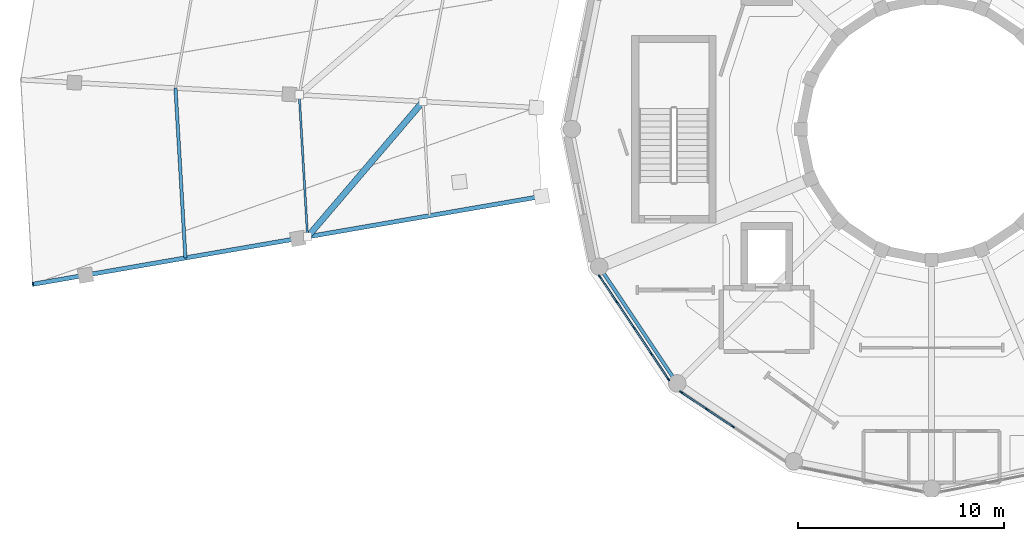
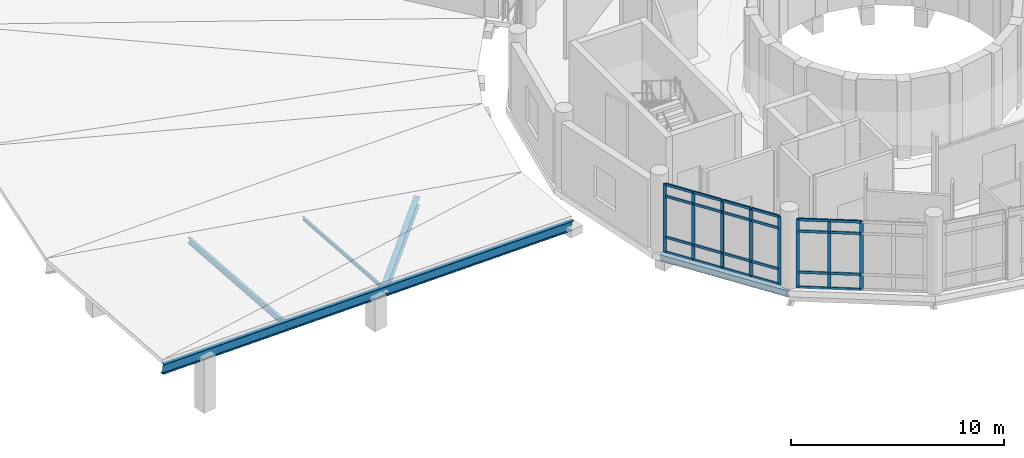
# One storey, part 7 of 49: 35 members, 2 beams, 2 elements without a shape of their own.
"""IFC4 building model written with IfcOpenShell, lengths in metres."""

from ifc_helpers import new_model, si_unit, direction, frame, origin, origin_2d, place, context, subcontext, project, spatial, rectangle, i_section, extrude, material, material_profile, profile_set, type_object, element, aggregate, save


model = new_model("IFC4")

# Units and contexts
model_context = context("Model", 3, precision=1e-05, world=origin(), true_north=direction((0.0, 1.0)))
body_context = subcontext(model_context, "Body", "Model", "MODEL_VIEW")
ifc_project = project(units=[si_unit("LENGTHUNIT", "METRE"), si_unit("AREAUNIT", "SQUARE_METRE"), si_unit("VOLUMEUNIT", "CUBIC_METRE"), si_unit("PLANEANGLEUNIT", "RADIAN"), si_unit("MASSUNIT", "GRAM", prefix="KILO")], contexts=[model_context])

# Site, building, storey
site_placement = place(None, origin())
site = spatial("IfcSite", under=ifc_project, at=site_placement, CompositionType="ELEMENT")
building_placement = place(site_placement, origin())
building = spatial("IfcBuilding", under=site, at=building_placement, Name="Soyqirgoq Riverine Aquarium", CompositionType="ELEMENT")
storey_placement = place(building_placement, frame((0.0, 0.0, 15.0)))
storey = spatial("IfcBuildingStorey", under=building, at=storey_placement, Name="L04", CompositionType="ELEMENT", Elevation=15.0)

# Member
ifc_material_1 = material(Name="Structural steel S355", Category="steel")
ifc_material_profile_1 = material_profile(ifc_material_1, i_section(OverallWidth=0.300048828125, OverallDepth=0.489990234375, WebThickness=0.011962890625, FlangeThickness=0.02294921875, FilletRadius=0.027099609375, at=origin_2d()), Name="HEA 500")
ifc_profile_set_1 = profile_set([ifc_material_profile_1], Name="Structural steel S355")
member_type_1 = type_object("IfcMemberType", Name="BridgeChord_HEA500", PredefinedType="CHORD", material=ifc_profile_set_1)
member_1_placement = place(storey_placement, frame((31.3251953125, 58.336181640625, 0.83740234375), z_axis=(-0.646576564201, -0.758065002594, 0.085300635797), x_axis=(0.760838060498, -0.648941789144, 0.0)))
element("IfcMember", 1, at=member_1_placement, inside=storey, type_object=member_type_1, Name="V3 Lateral Wind Brace 0172", PredefinedType="CHORD", context=body_context, shape_type="SweptSolid", body=[
    extrude(i_section(OverallWidth=0.300048828125, OverallDepth=0.489990234375, WebThickness=0.011962890625, FlangeThickness=0.02294921875, FilletRadius=0.027099609375, at=origin_2d()), origin(), (0.0, 0.0, 1.0), 8.660888671875),
])

# Curtain wall, members
ifc_material_2 = material(Name="Anodised aluminium thermally broken triple low-E glazing", Category="aluminium")
curtain_wall_type = type_object("IfcCurtainWallType", Name="CW_DrumGallery_Unitised", PredefinedType="NOTDEFINED", material=ifc_material_2)
curtain_wall_1_placement = place(storey_placement, origin())
curtain_wall_1 = element("IfcCurtainWall", 2, at=curtain_wall_1_placement, inside=storey, type_object=curtain_wall_type, Name="V1 L04 Curtain Wall 037", PredefinedType="NOTDEFINED")
ifc_material_3 = material(Name="Anodised aluminium 6063-T6", Category="aluminium")
ifc_material_profile_2 = material_profile(ifc_material_3, rectangle(XDim=0.06494140625, YDim=0.179931640625, at=origin_2d()), Name="ALU-M 65x180")
ifc_profile_set_2 = profile_set([ifc_material_profile_2], Name="Anodised aluminium 6063-T6")
member_type_2 = type_object("IfcMemberType", Name="CWMullion_65x180", PredefinedType="MULLION", material=ifc_profile_set_2)
member_2_placement = place(storey_placement, frame((39.898681640625, 49.850341796875, 0.0), z_axis=(0.0, 0.0, 1.0), x_axis=(0.831463994905, 0.555578639957, 0.0)))
member_2 = element("IfcMember", 3, at=member_2_placement, type_object=member_type_2, Name="CW-01 mullion 1", PredefinedType="MULLION", context=body_context, shape_type="SweptSolid", body=[
    extrude(rectangle(XDim=0.06494140625, YDim=0.179931640625, at=origin_2d()), origin(), (0.0, 0.0, 1.0), 3.949951171875),
])
member_3_placement = place(storey_placement, frame((40.72314453125, 48.6162109375, 0.0), z_axis=(0.0, 0.0, 1.0), x_axis=(0.831463994905, 0.555578639957, 0.0)))
member_3 = element("IfcMember", 4, at=member_3_placement, type_object=member_type_2, Name="CW-01 mullion 2", PredefinedType="MULLION", context=body_context, shape_type="SweptSolid", body=[
    extrude(rectangle(XDim=0.06494140625, YDim=0.179931640625, at=origin_2d()), origin(), (0.0, 0.0, 1.0), 3.949951171875),
])
member_4_placement = place(storey_placement, frame((41.565673828125, 47.35546875, 0.0), z_axis=(0.0, 0.0, 1.0), x_axis=(0.831463994905, 0.555578639957, 0.0)))
member_4 = element("IfcMember", 5, at=member_4_placement, type_object=member_type_2, Name="CW-01 mullion 3", PredefinedType="MULLION", context=body_context, shape_type="SweptSolid", body=[
    extrude(rectangle(XDim=0.06494140625, YDim=0.179931640625, at=origin_2d()), origin(), (0.0, 0.0, 1.0), 3.949951171875),
])
member_5_placement = place(storey_placement, frame((42.408203125, 46.094482421875, 0.0), z_axis=(0.0, 0.0, 1.0), x_axis=(0.831463994905, 0.555578639957, 0.0)))
member_5 = element("IfcMember", 6, at=member_5_placement, type_object=member_type_2, Name="CW-01 mullion 4", PredefinedType="MULLION", context=body_context, shape_type="SweptSolid", body=[
    extrude(rectangle(XDim=0.06494140625, YDim=0.179931640625, at=origin_2d()), origin(), (0.0, 0.0, 1.0), 3.949951171875),
])
member_6_placement = place(storey_placement, frame((43.23291015625, 44.8603515625, 0.0), z_axis=(0.0, 0.0, 1.0), x_axis=(0.831463994905, 0.555578639957, 0.0)))
member_6 = element("IfcMember", 7, at=member_6_placement, type_object=member_type_2, Name="CW-01 mullion 5", PredefinedType="MULLION", context=body_context, shape_type="SweptSolid", body=[
    extrude(rectangle(XDim=0.06494140625, YDim=0.179931640625, at=origin_2d()), origin(), (0.0, 0.0, 1.0), 3.949951171875),
])

curtain_wall_2_placement = place(storey_placement, origin())
curtain_wall_2 = element("IfcCurtainWall", 8, at=curtain_wall_2_placement, inside=storey, type_object=curtain_wall_type, Name="V1 L04 Curtain Wall 044", PredefinedType="NOTDEFINED")
member_7_placement = place(storey_placement, frame((43.8603515625, 44.23291015625, 0.0), z_axis=(0.0, 0.0, 1.0), x_axis=(0.555578639957, 0.831463994905, 0.0)))
member_7 = element("IfcMember", 9, at=member_7_placement, type_object=member_type_2, Name="CW-01 mullion 1", PredefinedType="MULLION", context=body_context, shape_type="SweptSolid", body=[
    extrude(rectangle(XDim=0.06494140625, YDim=0.179931640625, at=origin_2d()), origin(), (0.0, 0.0, 1.0), 3.949951171875),
])
member_8_placement = place(storey_placement, frame((45.094482421875, 43.408203125, 0.0), z_axis=(0.0, 0.0, 1.0), x_axis=(0.555578639957, 0.831463994905, 0.0)))
member_8 = element("IfcMember", 10, at=member_8_placement, type_object=member_type_2, Name="CW-01 mullion 2", PredefinedType="MULLION", context=body_context, shape_type="SweptSolid", body=[
    extrude(rectangle(XDim=0.06494140625, YDim=0.179931640625, at=origin_2d()), origin(), (0.0, 0.0, 1.0), 3.949951171875),
])
member_9_placement = place(storey_placement, frame((46.35546875, 42.565673828125, 0.0), z_axis=(0.0, 0.0, 1.0), x_axis=(0.555578639957, 0.831463994905, 0.0)))
member_9 = element("IfcMember", 11, at=member_9_placement, type_object=member_type_2, Name="CW-01 mullion 3", PredefinedType="MULLION", context=body_context, shape_type="SweptSolid", body=[
    extrude(rectangle(XDim=0.06494140625, YDim=0.179931640625, at=origin_2d()), origin(), (0.0, 0.0, 1.0), 3.949951171875),
])

# Member
ifc_material_4 = material(Name="Anodised aluminium 6063-T6", Category="aluminium")
ifc_material_profile_3 = material_profile(ifc_material_4, rectangle(XDim=0.074951171875, YDim=0.14990234375, at=origin_2d()), Name="ALU-T 75x150")
ifc_profile_set_3 = profile_set([ifc_material_profile_3], Name="Anodised aluminium 6063-T6")
member_type_3 = type_object("IfcMemberType", Name="CWTransom_75x150", PredefinedType="USERDEFINED", material=ifc_profile_set_3)
member_10_placement = place(storey_placement, frame((39.916748046875, 49.8232421875, 0.03759765625), z_axis=(0.55553367483, -0.831494038542, 0.0), x_axis=(0.831494038542, 0.55553367483, 0.0)))
member_10 = element("IfcMember", 12, at=member_10_placement, type_object=member_type_3, Name="CW-01 transom 1.1", ObjectType="TRANSOM", PredefinedType="USERDEFINED", context=body_context, shape_type="SweptSolid", body=[
    extrude(rectangle(XDim=0.074951171875, YDim=0.14990234375, at=origin_2d()), origin(), (0.0, 0.0, 1.0), 1.4189453125),
])

member_11_placement = place(storey_placement, frame((39.916748046875, 49.8232421875, 0.89990234375), z_axis=(0.55553367483, -0.831494038542, 0.0), x_axis=(0.831494038542, 0.55553367483, 0.0)))
member_11 = element("IfcMember", 13, at=member_11_placement, type_object=member_type_3, Name="CW-01 transom 1.2", ObjectType="TRANSOM", PredefinedType="USERDEFINED", context=body_context, shape_type="SweptSolid", body=[
    extrude(rectangle(XDim=0.074951171875, YDim=0.14990234375, at=origin_2d()), origin(), (0.0, 0.0, 1.0), 1.4189453125),
])

member_12_placement = place(storey_placement, frame((39.916748046875, 49.8232421875, 3.25), z_axis=(0.55553367483, -0.831494038542, 0.0), x_axis=(0.831494038542, 0.55553367483, 0.0)))
member_12 = element("IfcMember", 14, at=member_12_placement, type_object=member_type_3, Name="CW-01 transom 1.3", ObjectType="TRANSOM", PredefinedType="USERDEFINED", context=body_context, shape_type="SweptSolid", body=[
    extrude(rectangle(XDim=0.074951171875, YDim=0.14990234375, at=origin_2d()), origin(), (0.0, 0.0, 1.0), 1.4189453125),
])

member_13_placement = place(storey_placement, frame((39.916748046875, 49.8232421875, 3.91259765625), z_axis=(0.55553367483, -0.831494038542, 0.0), x_axis=(0.831494038542, 0.55553367483, 0.0)))
member_13 = element("IfcMember", 15, at=member_13_placement, type_object=member_type_3, Name="CW-01 transom 1.4", ObjectType="TRANSOM", PredefinedType="USERDEFINED", context=body_context, shape_type="SweptSolid", body=[
    extrude(rectangle(XDim=0.074951171875, YDim=0.14990234375, at=origin_2d()), origin(), (0.0, 0.0, 1.0), 1.4189453125),
])

member_14_placement = place(storey_placement, frame((40.7412109375, 48.58935546875, 0.03759765625), z_axis=(0.555514980368, -0.831506528289, 0.0), x_axis=(0.831506528289, 0.555514980368, 0.0)))
member_14 = element("IfcMember", 16, at=member_14_placement, type_object=member_type_3, Name="CW-01 transom 2.1", ObjectType="TRANSOM", PredefinedType="USERDEFINED", context=body_context, shape_type="SweptSolid", body=[
    extrude(rectangle(XDim=0.074951171875, YDim=0.14990234375, at=origin_2d()), origin(), (0.0, 0.0, 1.0), 1.45166015625),
])

member_15_placement = place(storey_placement, frame((40.7412109375, 48.58935546875, 0.89990234375), z_axis=(0.555514980368, -0.831506528289, 0.0), x_axis=(0.831506528289, 0.555514980368, 0.0)))
member_15 = element("IfcMember", 17, at=member_15_placement, type_object=member_type_3, Name="CW-01 transom 2.2", ObjectType="TRANSOM", PredefinedType="USERDEFINED", context=body_context, shape_type="SweptSolid", body=[
    extrude(rectangle(XDim=0.074951171875, YDim=0.14990234375, at=origin_2d()), origin(), (0.0, 0.0, 1.0), 1.45166015625),
])

member_16_placement = place(storey_placement, frame((40.7412109375, 48.58935546875, 3.25), z_axis=(0.555514980368, -0.831506528289, 0.0), x_axis=(0.831506528289, 0.555514980368, 0.0)))
member_16 = element("IfcMember", 18, at=member_16_placement, type_object=member_type_3, Name="CW-01 transom 2.3", ObjectType="TRANSOM", PredefinedType="USERDEFINED", context=body_context, shape_type="SweptSolid", body=[
    extrude(rectangle(XDim=0.074951171875, YDim=0.14990234375, at=origin_2d()), origin(), (0.0, 0.0, 1.0), 1.45166015625),
])

member_17_placement = place(storey_placement, frame((40.7412109375, 48.58935546875, 3.91259765625), z_axis=(0.555514980368, -0.831506528289, 0.0), x_axis=(0.831506528289, 0.555514980368, 0.0)))
member_17 = element("IfcMember", 19, at=member_17_placement, type_object=member_type_3, Name="CW-01 transom 2.4", ObjectType="TRANSOM", PredefinedType="USERDEFINED", context=body_context, shape_type="SweptSolid", body=[
    extrude(rectangle(XDim=0.074951171875, YDim=0.14990234375, at=origin_2d()), origin(), (0.0, 0.0, 1.0), 1.45166015625),
])

member_18_placement = place(storey_placement, frame((41.583740234375, 47.328369140625, 0.03759765625), z_axis=(0.555631247688, -0.831428840366, 0.0), x_axis=(0.831428840366, 0.555631247688, 0.0)))
member_18 = element("IfcMember", 20, at=member_18_placement, type_object=member_type_3, Name="CW-01 transom 3.1", ObjectType="TRANSOM", PredefinedType="USERDEFINED", context=body_context, shape_type="SweptSolid", body=[
    extrude(rectangle(XDim=0.074951171875, YDim=0.14990234375, at=origin_2d()), origin(), (0.0, 0.0, 1.0), 1.45166015625),
])

member_19_placement = place(storey_placement, frame((41.583740234375, 47.328369140625, 0.89990234375), z_axis=(0.555631247688, -0.831428840366, 0.0), x_axis=(0.831428840366, 0.555631247688, 0.0)))
member_19 = element("IfcMember", 21, at=member_19_placement, type_object=member_type_3, Name="CW-01 transom 3.2", ObjectType="TRANSOM", PredefinedType="USERDEFINED", context=body_context, shape_type="SweptSolid", body=[
    extrude(rectangle(XDim=0.074951171875, YDim=0.14990234375, at=origin_2d()), origin(), (0.0, 0.0, 1.0), 1.45166015625),
])

member_20_placement = place(storey_placement, frame((41.583740234375, 47.328369140625, 3.25), z_axis=(0.555631247688, -0.831428840366, 0.0), x_axis=(0.831428840366, 0.555631247688, 0.0)))
member_20 = element("IfcMember", 22, at=member_20_placement, type_object=member_type_3, Name="CW-01 transom 3.3", ObjectType="TRANSOM", PredefinedType="USERDEFINED", context=body_context, shape_type="SweptSolid", body=[
    extrude(rectangle(XDim=0.074951171875, YDim=0.14990234375, at=origin_2d()), origin(), (0.0, 0.0, 1.0), 1.45166015625),
])

member_21_placement = place(storey_placement, frame((41.583740234375, 47.328369140625, 3.91259765625), z_axis=(0.555631247688, -0.831428840366, 0.0), x_axis=(0.831428840366, 0.555631247688, 0.0)))
member_21 = element("IfcMember", 23, at=member_21_placement, type_object=member_type_3, Name="CW-01 transom 3.4", ObjectType="TRANSOM", PredefinedType="USERDEFINED", context=body_context, shape_type="SweptSolid", body=[
    extrude(rectangle(XDim=0.074951171875, YDim=0.14990234375, at=origin_2d()), origin(), (0.0, 0.0, 1.0), 1.45166015625),
])

member_22_placement = place(storey_placement, frame((42.42626953125, 46.0673828125, 0.03759765625), z_axis=(0.555652606731, -0.831414566046, 0.0), x_axis=(0.831414566046, 0.555652606731, 0.0)))
member_22 = element("IfcMember", 24, at=member_22_placement, type_object=member_type_3, Name="CW-01 transom 4.1", ObjectType="TRANSOM", PredefinedType="USERDEFINED", context=body_context, shape_type="SweptSolid", body=[
    extrude(rectangle(XDim=0.074951171875, YDim=0.14990234375, at=origin_2d()), origin(), (0.0, 0.0, 1.0), 1.419189453125),
])

member_23_placement = place(storey_placement, frame((42.42626953125, 46.0673828125, 0.89990234375), z_axis=(0.555652606731, -0.831414566046, 0.0), x_axis=(0.831414566046, 0.555652606731, 0.0)))
member_23 = element("IfcMember", 25, at=member_23_placement, type_object=member_type_3, Name="CW-01 transom 4.2", ObjectType="TRANSOM", PredefinedType="USERDEFINED", context=body_context, shape_type="SweptSolid", body=[
    extrude(rectangle(XDim=0.074951171875, YDim=0.14990234375, at=origin_2d()), origin(), (0.0, 0.0, 1.0), 1.419189453125),
])

member_24_placement = place(storey_placement, frame((42.42626953125, 46.0673828125, 3.25), z_axis=(0.555652606731, -0.831414566046, 0.0), x_axis=(0.831414566046, 0.555652606731, 0.0)))
member_24 = element("IfcMember", 26, at=member_24_placement, type_object=member_type_3, Name="CW-01 transom 4.3", ObjectType="TRANSOM", PredefinedType="USERDEFINED", context=body_context, shape_type="SweptSolid", body=[
    extrude(rectangle(XDim=0.074951171875, YDim=0.14990234375, at=origin_2d()), origin(), (0.0, 0.0, 1.0), 1.419189453125),
])

member_25_placement = place(storey_placement, frame((42.42626953125, 46.0673828125, 3.91259765625), z_axis=(0.555652606731, -0.831414566046, 0.0), x_axis=(0.831414566046, 0.555652606731, 0.0)))
member_25 = element("IfcMember", 27, at=member_25_placement, type_object=member_type_3, Name="CW-01 transom 4.4", ObjectType="TRANSOM", PredefinedType="USERDEFINED", context=body_context, shape_type="SweptSolid", body=[
    extrude(rectangle(XDim=0.074951171875, YDim=0.14990234375, at=origin_2d()), origin(), (0.0, 0.0, 1.0), 1.419189453125),
])

aggregate(curtain_wall_1, [member_2, member_3, member_4, member_5, member_6, member_10, member_11, member_12, member_13, member_14, member_15, member_16, member_17, member_18, member_19, member_20, member_21, member_22, member_23, member_24, member_25])

member_26_placement = place(storey_placement, frame((43.887451171875, 44.21484375, 0.03759765625), z_axis=(0.831414566046, -0.555652606731, 0.0), x_axis=(0.555652606731, 0.831414566046, 0.0)))
member_26 = element("IfcMember", 28, at=member_26_placement, type_object=member_type_3, Name="CW-01 transom 1.1", ObjectType="TRANSOM", PredefinedType="USERDEFINED", context=body_context, shape_type="SweptSolid", body=[
    extrude(rectangle(XDim=0.074951171875, YDim=0.14990234375, at=origin_2d()), origin(), (0.0, 0.0, 1.0), 1.419189453125),
])

member_27_placement = place(storey_placement, frame((43.887451171875, 44.21484375, 0.89990234375), z_axis=(0.831414566046, -0.555652606731, 0.0), x_axis=(0.555652606731, 0.831414566046, 0.0)))
member_27 = element("IfcMember", 29, at=member_27_placement, type_object=member_type_3, Name="CW-01 transom 1.2", ObjectType="TRANSOM", PredefinedType="USERDEFINED", context=body_context, shape_type="SweptSolid", body=[
    extrude(rectangle(XDim=0.074951171875, YDim=0.14990234375, at=origin_2d()), origin(), (0.0, 0.0, 1.0), 1.419189453125),
])

member_28_placement = place(storey_placement, frame((43.887451171875, 44.21484375, 3.25), z_axis=(0.831414566046, -0.555652606731, 0.0), x_axis=(0.555652606731, 0.831414566046, 0.0)))
member_28 = element("IfcMember", 30, at=member_28_placement, type_object=member_type_3, Name="CW-01 transom 1.3", ObjectType="TRANSOM", PredefinedType="USERDEFINED", context=body_context, shape_type="SweptSolid", body=[
    extrude(rectangle(XDim=0.074951171875, YDim=0.14990234375, at=origin_2d()), origin(), (0.0, 0.0, 1.0), 1.419189453125),
])

member_29_placement = place(storey_placement, frame((43.887451171875, 44.21484375, 3.91259765625), z_axis=(0.831414566046, -0.555652606731, 0.0), x_axis=(0.555652606731, 0.831414566046, 0.0)))
member_29 = element("IfcMember", 31, at=member_29_placement, type_object=member_type_3, Name="CW-01 transom 1.4", ObjectType="TRANSOM", PredefinedType="USERDEFINED", context=body_context, shape_type="SweptSolid", body=[
    extrude(rectangle(XDim=0.074951171875, YDim=0.14990234375, at=origin_2d()), origin(), (0.0, 0.0, 1.0), 1.419189453125),
])

member_30_placement = place(storey_placement, frame((45.121337890625, 43.390380859375, 0.03759765625), z_axis=(0.831428840366, -0.555631247688, 0.0), x_axis=(0.555631247688, 0.831428840366, 0.0)))
member_30 = element("IfcMember", 32, at=member_30_placement, type_object=member_type_3, Name="CW-01 transom 2.1", ObjectType="TRANSOM", PredefinedType="USERDEFINED", context=body_context, shape_type="SweptSolid", body=[
    extrude(rectangle(XDim=0.074951171875, YDim=0.14990234375, at=origin_2d()), origin(), (0.0, 0.0, 1.0), 1.45166015625),
])

member_31_placement = place(storey_placement, frame((45.121337890625, 43.390380859375, 0.89990234375), z_axis=(0.831428840366, -0.555631247688, 0.0), x_axis=(0.555631247688, 0.831428840366, 0.0)))
member_31 = element("IfcMember", 33, at=member_31_placement, type_object=member_type_3, Name="CW-01 transom 2.2", ObjectType="TRANSOM", PredefinedType="USERDEFINED", context=body_context, shape_type="SweptSolid", body=[
    extrude(rectangle(XDim=0.074951171875, YDim=0.14990234375, at=origin_2d()), origin(), (0.0, 0.0, 1.0), 1.45166015625),
])

member_32_placement = place(storey_placement, frame((45.121337890625, 43.390380859375, 3.25), z_axis=(0.831428840366, -0.555631247688, 0.0), x_axis=(0.555631247688, 0.831428840366, 0.0)))
member_32 = element("IfcMember", 34, at=member_32_placement, type_object=member_type_3, Name="CW-01 transom 2.3", ObjectType="TRANSOM", PredefinedType="USERDEFINED", context=body_context, shape_type="SweptSolid", body=[
    extrude(rectangle(XDim=0.074951171875, YDim=0.14990234375, at=origin_2d()), origin(), (0.0, 0.0, 1.0), 1.45166015625),
])

member_33_placement = place(storey_placement, frame((45.121337890625, 43.390380859375, 3.91259765625), z_axis=(0.831428840366, -0.555631247688, 0.0), x_axis=(0.555631247688, 0.831428840366, 0.0)))
member_33 = element("IfcMember", 35, at=member_33_placement, type_object=member_type_3, Name="CW-01 transom 2.4", ObjectType="TRANSOM", PredefinedType="USERDEFINED", context=body_context, shape_type="SweptSolid", body=[
    extrude(rectangle(XDim=0.074951171875, YDim=0.14990234375, at=origin_2d()), origin(), (0.0, 0.0, 1.0), 1.45166015625),
])

aggregate(curtain_wall_2, [member_7, member_8, member_9, member_26, member_27, member_28, member_29, member_30, member_31, member_32, member_33])

# Beam
ifc_material_5 = material(Name="Structural steel S355", Category="steel")
ifc_material_profile_4 = material_profile(ifc_material_5, i_section(OverallWidth=0.2099609375, OverallDepth=0.550048828125, WebThickness=0.010986328125, FlangeThickness=0.01708984375, FilletRadius=0.02392578125, at=origin_2d()), Name="IPE 550")
ifc_profile_set_4 = profile_set([ifc_material_profile_4], Name="Structural steel S355")
beam_type_1 = type_object("IfcBeamType", Name="Outrigger_IPE550", PredefinedType="BEAM", material=ifc_profile_set_4)
beam_1_placement = place(storey_placement, frame((37.080078125, 53.73193359375, 0.2080078125), z_axis=(-0.978534366411, -0.169020188266, 0.117909582779), x_axis=(0.170207498724, -0.985408244018, 0.0)))
element("IfcBeam", 36, at=beam_1_placement, inside=storey, type_object=beam_type_1, Name="V3 Prairie Cantilever Eave Rafter 05", PredefinedType="BEAM", context=body_context, shape_type="SweptSolid", body=[
    extrude(i_section(OverallWidth=0.2099609375, OverallDepth=0.550048828125, WebThickness=0.010986328125, FlangeThickness=0.01708984375, FilletRadius=0.02392578125, at=origin_2d()), origin(), (0.0, 0.0, 1.0), 25.225830078125),
])

# Members
ifc_material_6 = material(Name="Structural steel S355", Category="steel")
ifc_material_profile_5 = material_profile(ifc_material_6, i_section(OverallWidth=0.10009765625, OverallDepth=0.199951171875, WebThickness=0.005615234375, FlangeThickness=0.008544921875, FilletRadius=0.011962890625, at=origin_2d()), Name="IPE 200")
ifc_profile_set_5 = profile_set([ifc_material_profile_5], Name="Structural steel S355")
member_type_4 = type_object("IfcMemberType", Name="Purlin_IPE200", PredefinedType="PURLIN", material=ifc_profile_set_5)
member_34_placement = place(storey_placement, frame((25.322021484375, 58.66162109375, 1.735107421875), z_axis=(0.058429675914, -0.998291527046, 0.0), x_axis=(0.998291527046, 0.058429675914, 0.0)))
element("IfcMember", 37, at=member_34_placement, inside=storey, type_object=member_type_4, Name="V3 Prairie Roof Purlin 0170", PredefinedType="PURLIN", context=body_context, shape_type="SweptSolid", body=[
    extrude(i_section(OverallWidth=0.10009765625, OverallDepth=0.199951171875, WebThickness=0.005615234375, FlangeThickness=0.008544921875, FilletRadius=0.011962890625, at=origin_2d()), origin(), (0.0, 0.0, 1.0), 6.902587890625),
])
ifc_material_7 = material(Name="Structural steel S355", Category="steel")
ifc_material_profile_6 = material_profile(ifc_material_7, i_section(OverallWidth=0.159912109375, OverallDepth=0.330078125, WebThickness=0.007568359375, FlangeThickness=0.011474609375, FilletRadius=0.01806640625, at=origin_2d()), Name="IPE 330")
ifc_profile_set_6 = profile_set([ifc_material_profile_6], Name="Structural steel S355")
member_type_5 = type_object("IfcMemberType", Name="Purlin_IPE330", PredefinedType="PURLIN", material=ifc_profile_set_6)
member_35_placement = place(storey_placement, frame((19.318603515625, 58.986572265625, 2.38037109375), z_axis=(0.058451509181, -0.998290248913, 0.0), x_axis=(0.998290248913, 0.058451509181, 0.0)))
element("IfcMember", 38, at=member_35_placement, inside=storey, type_object=member_type_5, Name="V3 Prairie Roof Purlin 0171", PredefinedType="PURLIN", context=body_context, shape_type="SweptSolid", body=[
    extrude(i_section(OverallWidth=0.159912109375, OverallDepth=0.330078125, WebThickness=0.007568359375, FlangeThickness=0.011474609375, FilletRadius=0.01806640625, at=origin_2d()), origin(), (0.0, 0.0, 1.0), 8.25341796875),
])

# Beam
ifc_material_8 = material(Name="Structural steel S355", Category="steel")
ifc_material_profile_7 = material_profile(ifc_material_8, i_section(OverallWidth=0.169921875, OverallDepth=0.360107421875, WebThickness=0.008056640625, FlangeThickness=0.0126953125, FilletRadius=0.01806640625, at=origin_2d()), Name="IPE 360")
ifc_profile_set_7 = profile_set([ifc_material_profile_7], Name="Structural steel S355")
beam_type_2 = type_object("IfcBeamType", Name="Spandrel_Steel_IPE360", PredefinedType="SPANDREL", material=ifc_profile_set_7)
beam_2_placement = place(storey_placement, frame((39.889404296875, 50.3056640625, -0.530029296875), z_axis=(0.555557213186, -0.83147831173, 0.0), x_axis=(0.83147831173, 0.555557213186, 0.0)))
element("IfcBeam", 39, at=beam_2_placement, inside=storey, type_object=beam_type_2, Name="V1 L04 Drum Spandrel Beam 0103", PredefinedType="SPANDREL", context=body_context, shape_type="SweptSolid", body=[
    extrude(i_section(OverallWidth=0.169921875, OverallDepth=0.360107421875, WebThickness=0.008056640625, FlangeThickness=0.0126953125, FilletRadius=0.01806640625, at=origin_2d()), origin(), (0.0, 0.0, 1.0), 6.768798828125),
])

save(model, "model.ifc")
